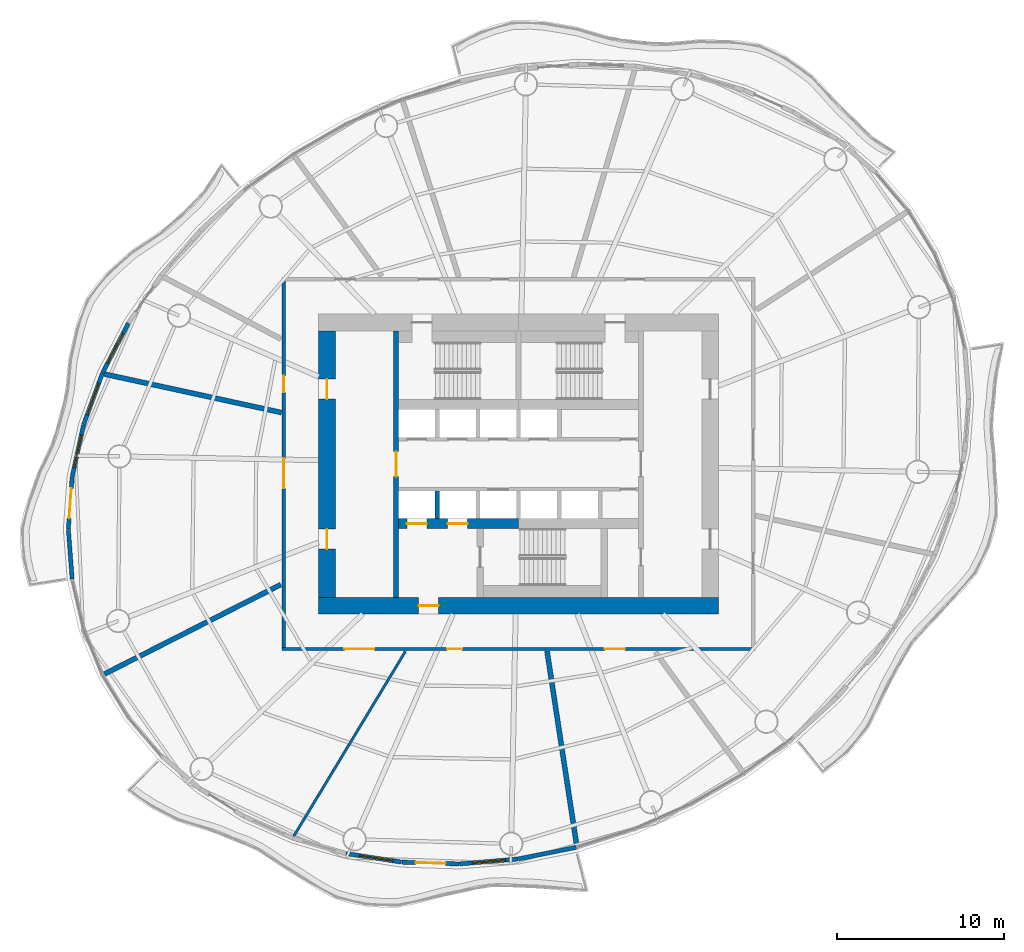
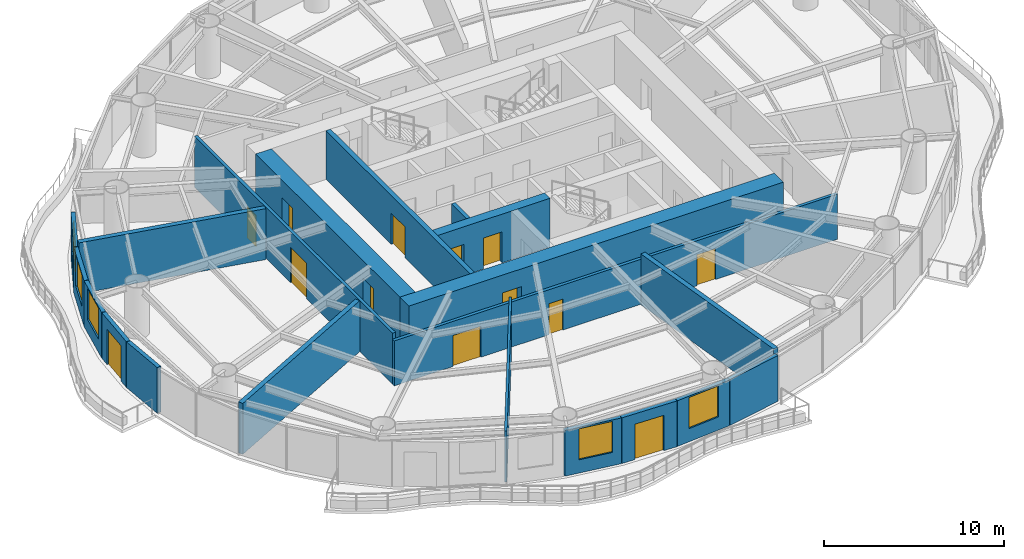
# One storey, part 8 of 14: 20 walls, 13 doors, 5 windows, 18 openings.
"""IFC4 building model written with IfcOpenShell, lengths in metres."""

from ifc_helpers import new_model, si_unit, direction, frame, frame_2d, origin, place, context, subcontext, project, spatial, rectangle, extrude, material, layer, layer_set, type_object, element, fill, save


model = new_model("IFC4")

# Units and contexts
model_context = context("Model", 3, precision=1e-05, world=origin(), true_north=direction((0.0, 1.0)))
body_context = subcontext(model_context, "Body", "Model", "MODEL_VIEW")
ifc_project = project(units=[si_unit("LENGTHUNIT", "METRE"), si_unit("AREAUNIT", "SQUARE_METRE"), si_unit("VOLUMEUNIT", "CUBIC_METRE"), si_unit("PLANEANGLEUNIT", "RADIAN"), si_unit("MASSUNIT", "GRAM", prefix="KILO")], contexts=[model_context])

# Site, building, storey
site_placement = place(None, origin())
site = spatial("IfcSite", under=ifc_project, at=site_placement, CompositionType="ELEMENT")
building_placement = place(site_placement, origin())
building = spatial("IfcBuilding", under=site, at=building_placement, Name="Vermilion Reach Broadcast Tower", CompositionType="ELEMENT")
storey_placement = place(building_placement, frame((0.0, 0.0, 143.39990234375)))
storey = spatial("IfcBuildingStorey", under=building, at=storey_placement, Name="L33", CompositionType="ELEMENT", Elevation=143.39990234375)

# Wall, opening, door
ifc_material_1 = material(Name="Concrete C70", Category="concrete")
ifc_layer_1 = layer(ifc_material_1, 0.300048828125)
ifc_layer_set_1 = layer_set([ifc_layer_1], Name="Core inner wall 300 mm Concrete C70")
wall_type_1 = type_object("IfcWallType", Name="Core inner wall 300 mm Concrete C70", PredefinedType="SHEAR", material=ifc_layer_set_1)
wall_1_placement = place(storey_placement, frame((-13.35009765625, 8.0, 0.0), z_axis=(0.0, 0.0, 1.0), x_axis=(0.0, -1.0, 0.0)))
wall_1 = element("IfcWall", 1, at=wall_1_placement, inside=storey, type_object=wall_type_1, Name="L33 core wall ewW", PredefinedType="SHEAR", context=body_context, shape_type="SweptSolid", body=[
    extrude(rectangle(XDim=16.0, YDim=0.300048828125, at=frame_2d((8.0, 0.0))), origin(), (0.0, 0.0, 1.0), 3.300048828125),
])
opening_1_placement = place(wall_1_placement, frame((7.25, 0.0, 0.0)))
opening_1 = element("IfcOpeningElement", 2, at=opening_1_placement, cuts=wall_1, Name="Opening D04", PredefinedType="OPENING", context=body_context, shape_type="SweptSolid", body=[
    extrude(rectangle(XDim=1.5, YDim=2.10009765625, at=frame_2d((0.75, 1.050048828125))), frame((0.0, 0.159912109375, 0.0), z_axis=(0.0, -1.0, 0.0), x_axis=(1.0, 0.0, 0.0)), (0.0, 0.0, 1.0), 0.320068359375),
])
ifc_material_2 = material(Name="Painted steel fire door", Category="steel")
door_type_1 = type_object("IfcDoorType", Name="Lift lobby door 1500 x 2100", OperationType="DOUBLE_DOOR_SINGLE_SWING", PredefinedType="NOTDEFINED", material=ifc_material_2)
door_1_placement = place(opening_1_placement, origin())
door_1 = element("IfcDoor", 3, at=door_1_placement, inside=storey, type_object=door_type_1, Name="L33 band door BW", OperationType="DOUBLE_DOOR_SINGLE_SWING", OverallHeight=2.10009765625, OverallWidth=1.5, PredefinedType="NOTDEFINED", context=body_context, shape_type="SweptSolid", body=[
    extrude(rectangle(XDim=1.5, YDim=2.10009765625, at=frame_2d((0.75, 1.050048828125))), frame((0.0, 0.02490234375, 0.0), z_axis=(0.0, -1.0, 0.0), x_axis=(1.0, 0.0, 0.0)), (0.0, 0.0, 1.0), 0.050048828125),
])
fill(opening_1, door_1)

# Wall, openings, doors
ifc_material_3 = material(Name="Concrete C70", Category="concrete")
ifc_layer_2 = layer(ifc_material_3, 0.60009765625)
ifc_layer_set_2 = layer_set([ifc_layer_2], Name="Core inner wall 600 mm Concrete C70")
wall_type_2 = type_object("IfcWallType", Name="Core inner wall 600 mm Concrete C70", PredefinedType="SHEAR", material=ifc_layer_set_2)
wall_2_placement = place(storey_placement, frame((-13.199951171875, -3.580078125, 0.0), z_axis=(0.0, 0.0, 1.0), x_axis=(1.0, 0.0, 0.0)))
wall_2 = element("IfcWall", 4, at=wall_2_placement, inside=storey, type_object=wall_type_2, Name="L33 core wall wisW", PredefinedType="SHEAR", context=body_context, shape_type="SweptSolid", body=[
    extrude(rectangle(XDim=7.199951171875, YDim=0.60009765625, at=frame_2d((3.60009765625, 0.0))), origin(), (0.0, 0.0, 1.0), 3.300048828125),
])
opening_2_placement = place(wall_2_placement, frame((0.495849609375, 0.0, 0.0)))
opening_2 = element("IfcOpeningElement", 5, at=opening_2_placement, cuts=wall_2, Name="Opening LD1", PredefinedType="OPENING", context=body_context, shape_type="SweptSolid", body=[
    extrude(rectangle(XDim=1.199951171875, YDim=2.10009765625, at=frame_2d((0.60009765625, 1.050048828125))), frame((0.0, 0.31005859375, 0.0), z_axis=(0.0, -1.0, 0.0), x_axis=(1.0, 0.0, 0.0)), (0.0, 0.0, 1.0), 0.6201171875),
])
opening_3_placement = place(wall_2_placement, frame((2.9375, 0.0, 0.0)))
opening_3 = element("IfcOpeningElement", 6, at=opening_3_placement, cuts=wall_2, Name="Opening LD1", PredefinedType="OPENING", context=body_context, shape_type="SweptSolid", body=[
    extrude(rectangle(XDim=1.199951171875, YDim=2.10009765625, at=frame_2d((0.60009765625, 1.050048828125))), frame((0.0, 0.31005859375, 0.0), z_axis=(0.0, -1.0, 0.0), x_axis=(1.0, 0.0, 0.0)), (0.0, 0.0, 1.0), 0.6201171875),
])
ifc_material_4 = material(Name="Stainless steel", Category="steel")
door_type_2 = type_object("IfcDoorType", Name="Landing door 1200 x 2100", OperationType="DOUBLE_DOOR_SLIDING", PredefinedType="NOTDEFINED", material=ifc_material_4)
door_2_placement = place(opening_2_placement, origin())
door_2 = element("IfcDoor", 7, at=door_2_placement, inside=storey, type_object=door_type_2, Name="L33 landing door FF1", OperationType="DOUBLE_DOOR_SLIDING", OverallHeight=2.10009765625, OverallWidth=1.199951171875, PredefinedType="NOTDEFINED", context=body_context, shape_type="SweptSolid", body=[
    extrude(rectangle(XDim=1.199951171875, YDim=2.10009765625, at=frame_2d((0.60009765625, 1.050048828125))), frame((0.0, 0.02490234375, 0.0), z_axis=(0.0, -1.0, 0.0), x_axis=(1.0, 0.0, 0.0)), (0.0, 0.0, 1.0), 0.050048828125),
])
fill(opening_2, door_2)
door_3_placement = place(opening_3_placement, origin())
door_3 = element("IfcDoor", 8, at=door_3_placement, inside=storey, type_object=door_type_2, Name="L33 landing door FF2", OperationType="DOUBLE_DOOR_SLIDING", OverallHeight=2.10009765625, OverallWidth=1.199951171875, PredefinedType="NOTDEFINED", context=body_context, shape_type="SweptSolid", body=[
    extrude(rectangle(XDim=1.199951171875, YDim=2.10009765625, at=frame_2d((0.60009765625, 1.050048828125))), frame((0.0, 0.02490234375, 0.0), z_axis=(0.0, -1.0, 0.0), x_axis=(1.0, 0.0, 0.0)), (0.0, 0.0, 1.0), 0.050048828125),
])
fill(opening_3, door_3)

# Wall, opening, door
ifc_material_5 = material(Name="Concrete C70", Category="concrete")
ifc_layer_3 = layer(ifc_material_5, 1.0)
ifc_layer_set_3 = layer_set([ifc_layer_3], Name="Core outer wall 1000 mm Concrete C70")
wall_type_3 = type_object("IfcWallType", Name="Core outer wall 1000 mm Concrete C70", PredefinedType="SHEAR", material=ifc_layer_set_3)
wall_3_placement = place(storey_placement, frame((-18.0, -8.5, 0.0), z_axis=(0.0, 0.0, 1.0), x_axis=(1.0, 0.0, 0.0)))
wall_3 = element("IfcWall", 9, at=wall_3_placement, inside=storey, type_object=wall_type_3, Name="L33 core wall os", PredefinedType="SHEAR", context=body_context, shape_type="SweptSolid", body=[
    extrude(rectangle(XDim=24.0, YDim=1.0, at=frame_2d((12.0, 0.0))), origin(), (0.0, 0.0, 1.0), 3.300048828125),
])
opening_4_placement = place(wall_3_placement, frame((6.0, 0.0, 0.0)))
opening_4 = element("IfcOpeningElement", 10, at=opening_4_placement, cuts=wall_3, Name="Opening D02", PredefinedType="OPENING", context=body_context, shape_type="SweptSolid", body=[
    extrude(rectangle(XDim=1.199951171875, YDim=2.10009765625, at=frame_2d((0.60009765625, 1.050048828125))), frame((0.0, 0.510009765625, 0.0), z_axis=(0.0, -1.0, 0.0), x_axis=(1.0, 0.0, 0.0)), (0.0, 0.0, 1.0), 1.02001953125),
])
ifc_material_6 = material(Name="Painted steel fire door", Category="steel")
door_type_3 = type_object("IfcDoorType", Name="Firefighting lobby door 1200 x 2100", OperationType="DOUBLE_DOOR_SINGLE_SWING", PredefinedType="NOTDEFINED", material=ifc_material_6)
door_4_placement = place(opening_4_placement, origin())
door_4 = element("IfcDoor", 11, at=door_4_placement, inside=storey, type_object=door_type_3, Name="L33 ffdoor door FFL", OperationType="DOUBLE_DOOR_SINGLE_SWING", OverallHeight=2.10009765625, OverallWidth=1.199951171875, PredefinedType="NOTDEFINED", context=body_context, shape_type="SweptSolid", body=[
    extrude(rectangle(XDim=1.199951171875, YDim=2.10009765625, at=frame_2d((0.60009765625, 1.050048828125))), frame((0.0, 0.02490234375, 0.0), z_axis=(0.0, -1.0, 0.0), x_axis=(1.0, 0.0, 0.0)), (0.0, 0.0, 1.0), 0.050048828125),
])
fill(opening_4, door_4)

# Wall, openings, doors
wall_4_placement = place(storey_placement, frame((-17.5, 8.0, 0.0), z_axis=(0.0, 0.0, 1.0), x_axis=(0.0, -1.0, 0.0)))
wall_4 = element("IfcWall", 12, at=wall_4_placement, inside=storey, type_object=wall_type_3, Name="L33 core wall ow", PredefinedType="SHEAR", context=body_context, shape_type="SweptSolid", body=[
    extrude(rectangle(XDim=16.0, YDim=1.0, at=frame_2d((8.0, 0.0))), origin(), (0.0, 0.0, 1.0), 3.300048828125),
])
opening_5_placement = place(wall_4_placement, frame((11.89990234375, 0.0, 0.0)))
opening_5 = element("IfcOpeningElement", 13, at=opening_5_placement, cuts=wall_4, Name="Opening D03", PredefinedType="OPENING", context=body_context, shape_type="SweptSolid", body=[
    extrude(rectangle(XDim=1.199951171875, YDim=2.10009765625, at=frame_2d((0.60009765625, 1.050048828125))), frame((0.0, 0.510009765625, 0.0), z_axis=(0.0, -1.0, 0.0), x_axis=(1.0, 0.0, 0.0)), (0.0, 0.0, 1.0), 1.02001953125),
])
opening_6_placement = place(wall_4_placement, frame((2.89990234375, 0.0, 0.0)))
opening_6 = element("IfcOpeningElement", 14, at=opening_6_placement, cuts=wall_4, Name="Opening D03", PredefinedType="OPENING", context=body_context, shape_type="SweptSolid", body=[
    extrude(rectangle(XDim=1.199951171875, YDim=2.10009765625, at=frame_2d((0.60009765625, 1.050048828125))), frame((0.0, 0.510009765625, 0.0), z_axis=(0.0, -1.0, 0.0), x_axis=(1.0, 0.0, 0.0)), (0.0, 0.0, 1.0), 1.02001953125),
])
ifc_material_7 = material(Name="Painted steel fire door", Category="steel")
door_type_4 = type_object("IfcDoorType", Name="Core lobby door 1200 x 2100", OperationType="DOUBLE_DOOR_SINGLE_SWING", PredefinedType="NOTDEFINED", material=ifc_material_7)
door_5_placement = place(opening_5_placement, origin())
door_5 = element("IfcDoor", 15, at=door_5_placement, inside=storey, type_object=door_type_4, Name="L33 slot door W0", OperationType="DOUBLE_DOOR_SINGLE_SWING", OverallHeight=2.10009765625, OverallWidth=1.199951171875, PredefinedType="NOTDEFINED", context=body_context, shape_type="SweptSolid", body=[
    extrude(rectangle(XDim=1.199951171875, YDim=2.10009765625, at=frame_2d((0.60009765625, 1.050048828125))), frame((0.0, 0.02490234375, 0.0), z_axis=(0.0, -1.0, 0.0), x_axis=(1.0, 0.0, 0.0)), (0.0, 0.0, 1.0), 0.050048828125),
])
fill(opening_5, door_5)
door_6_placement = place(opening_6_placement, origin())
door_6 = element("IfcDoor", 16, at=door_6_placement, inside=storey, type_object=door_type_4, Name="L33 slot door W1", OperationType="DOUBLE_DOOR_SINGLE_SWING", OverallHeight=2.10009765625, OverallWidth=1.199951171875, PredefinedType="NOTDEFINED", context=body_context, shape_type="SweptSolid", body=[
    extrude(rectangle(XDim=1.199951171875, YDim=2.10009765625, at=frame_2d((0.60009765625, 1.050048828125))), frame((0.0, 0.02490234375, 0.0), z_axis=(0.0, -1.0, 0.0), x_axis=(1.0, 0.0, 0.0)), (0.0, 0.0, 1.0), 0.050048828125),
])
fill(opening_6, door_6)

# Wall
ifc_material_8 = material(Name="Concrete C50", Category="concrete")
ifc_layer_4 = layer(ifc_material_8, 0.25)
ifc_layer_set_4 = layer_set([ifc_layer_4], Name="Core shaft wall 250 mm Concrete C50")
wall_type_4 = type_object("IfcWallType", Name="Core shaft wall 250 mm Concrete C50", PredefinedType="SHEAR", material=ifc_layer_set_4)
wall_5_placement = place(storey_placement, frame((-10.88330078125, -1.60009765625, 0.0), z_axis=(0.0, 0.0, 1.0), x_axis=(0.0, -1.0, 0.0)))
element("IfcWall", 17, at=wall_5_placement, inside=storey, type_object=wall_type_4, Name="L33 core wall psS0", PredefinedType="SHEAR", context=body_context, shape_type="SweptSolid", body=[
    extrude(rectangle(XDim=1.679931640625, YDim=0.25, at=frame_2d((0.83984375, 0.0))), origin(), (0.0, 0.0, 1.0), 3.300048828125),
])

# Wall, openings, doors
ifc_material_9 = material(Name="Fire-rated gypsum board partition")
ifc_layer_5 = layer(ifc_material_9, 0.199951171875)
ifc_layer_set_5 = layer_set([ifc_layer_5], Name="Corridor wall 200 fire-rated")
wall_type_5 = type_object("IfcWallType", Name="Corridor wall 200 fire-rated", PredefinedType="PARTITIONING", material=ifc_layer_set_5)
wall_6_placement = place(storey_placement, frame((-20.10009765625, -11.0, 0.0), z_axis=(0.0, 0.0, 1.0), x_axis=(0.0, 1.0, 0.0)))
wall_6 = element("IfcWall", 18, at=wall_6_placement, inside=storey, type_object=wall_type_5, Name="Corridor wall 33.W", PredefinedType="PARTITIONING", context=body_context, shape_type="SweptSolid", body=[
    extrude(rectangle(XDim=22.0, YDim=0.199951171875, at=frame_2d((11.0, 0.0))), origin(), (0.0, 0.0, 1.0), 3.4501953125),
])
opening_7_placement = place(wall_6_placement, frame((15.304931640625, 0.0, 0.0)))
opening_7 = element("IfcOpeningElement", 19, at=opening_7_placement, cuts=wall_6, Name="Opening D20", PredefinedType="OPENING", context=body_context, shape_type="SweptSolid", body=[
    extrude(rectangle(XDim=1.0, YDim=2.10009765625, at=frame_2d((0.5, 1.050048828125))), frame((0.0, 0.10986328125, 0.0), z_axis=(0.0, -1.0, 0.0), x_axis=(1.0, 0.0, 0.0)), (0.0, 0.0, 1.0), 0.219970703125),
])
opening_8_placement = place(wall_6_placement, frame((9.54150390625, 0.0, 0.0)))
opening_8 = element("IfcOpeningElement", 20, at=opening_8_placement, cuts=wall_6, Name="Opening D27", PredefinedType="OPENING", context=body_context, shape_type="SweptSolid", body=[
    extrude(rectangle(XDim=1.800048828125, YDim=2.39990234375, at=frame_2d((0.89990234375, 1.199951171875))), frame((0.0, 0.10986328125, 0.0), z_axis=(0.0, -1.0, 0.0), x_axis=(1.0, 0.0, 0.0)), (0.0, 0.0, 1.0), 0.219970703125),
])
ifc_material_10 = material(Name="Acoustic timber door leaf", Category="wood")
door_type_5 = type_object("IfcDoorType", Name="Door pair 1800x2400", OperationType="NOTDEFINED", PredefinedType="DOOR", material=ifc_material_10)
door_7_placement = place(opening_8_placement, origin())
door_7 = element("IfcDoor", 21, at=door_7_placement, inside=storey, type_object=door_type_5, Name="Door 33.06", OperationType="DOUBLE_DOOR_SINGLE_SWING", OverallHeight=2.39990234375, OverallWidth=1.800048828125, PredefinedType="DOOR", context=body_context, shape_type="SweptSolid", body=[
    extrude(rectangle(XDim=1.800048828125, YDim=2.39990234375, at=frame_2d((0.89990234375, 1.199951171875))), frame((0.0, 0.02490234375, 0.0), z_axis=(0.0, -1.0, 0.0), x_axis=(1.0, 0.0, 0.0)), (0.0, 0.0, 1.0), 0.050048828125),
])
fill(opening_8, door_7)
ifc_material_11 = material(Name="Timber door leaf", Category="wood")
door_type_6 = type_object("IfcDoorType", Name="Door single 1000x2100", OperationType="NOTDEFINED", PredefinedType="DOOR", material=ifc_material_11)
door_8_placement = place(opening_7_placement, origin())
door_8 = element("IfcDoor", 22, at=door_8_placement, inside=storey, type_object=door_type_6, Name="Door 33.05", OperationType="SINGLE_SWING_LEFT", OverallHeight=2.10009765625, OverallWidth=1.0, PredefinedType="DOOR", context=body_context, shape_type="SweptSolid", body=[
    extrude(rectangle(XDim=1.0, YDim=2.10009765625, at=frame_2d((0.5, 1.050048828125))), frame((0.0, 0.02490234375, 0.0), z_axis=(0.0, -1.0, 0.0), x_axis=(1.0, 0.0, 0.0)), (0.0, 0.0, 1.0), 0.050048828125),
])
fill(opening_7, door_8)

# Walls
ifc_material_12 = material(Name="Lightweight concrete block, plastered", Category="concrete")
ifc_layer_6 = layer(ifc_material_12, 0.14990234375)
ifc_layer_set_6 = layer_set([ifc_layer_6], Name="Partition 150 lightweight block")
wall_type_6 = type_object("IfcWallType", Name="Partition 150 lightweight block", PredefinedType="PARTITIONING", material=ifc_layer_set_6)
wall_7_placement = place(storey_placement, frame((-19.495849609375, -22.34033203125, 0.0), z_axis=(0.0, 0.0, 1.0), x_axis=(0.51707886648, 0.855937758157, 0.0)))
element("IfcWall", 23, at=wall_7_placement, inside=storey, type_object=wall_type_6, Name="Partition 33.08", PredefinedType="PARTITIONING", context=body_context, shape_type="SweptSolid", body=[
    extrude(rectangle(XDim=12.969970703125, YDim=0.14990234375, at=frame_2d((6.48486328125, 0.0))), origin(), (0.0, 0.0, 1.0), 3.4501953125),
])
ifc_material_13 = material(Name="Double-leaf plasterboard on isolated steel stud", Category="steel")
ifc_layer_7 = layer(ifc_material_13, 0.300048828125)
ifc_layer_set_7 = layer_set([ifc_layer_7], Name="Partition 300 acoustic double leaf")
wall_type_7 = type_object("IfcWallType", Name="Partition 300 acoustic double leaf", PredefinedType="PARTITIONING", material=ifc_layer_set_7)
wall_8_placement = place(storey_placement, frame((-30.870361328125, 5.406494140625, 0.0), z_axis=(0.0, 0.0, 1.0), x_axis=(0.977175554344, -0.21243336836, 0.0)))
element("IfcWall", 24, at=wall_8_placement, inside=storey, type_object=wall_type_7, Name="Partition 33.06", PredefinedType="PARTITIONING", context=body_context, shape_type="SweptSolid", body=[
    extrude(rectangle(XDim=10.886962890625, YDim=0.300048828125, at=frame_2d((5.443359375, 0.0))), origin(), (0.0, 0.0, 1.0), 3.4501953125),
])
wall_9_placement = place(storey_placement, frame((-30.859619140625, -12.60107421875, 0.0), z_axis=(0.0, 0.0, 1.0), x_axis=(0.891954750919, 0.452124675629, 0.0)))
element("IfcWall", 25, at=wall_9_placement, inside=storey, type_object=wall_type_7, Name="Partition 33.07", PredefinedType="PARTITIONING", context=body_context, shape_type="SweptSolid", body=[
    extrude(rectangle(XDim=11.874755859375, YDim=0.300048828125, at=frame_2d((5.9375, 0.0))), origin(), (0.0, 0.0, 1.0), 3.4501953125),
])
wall_10_placement = place(storey_placement, frame((-2.512451171875, -22.876708984375, 0.0), z_axis=(0.0, 0.0, 1.0), x_axis=(-0.15070468476, 0.988578827404, 0.0)))
element("IfcWall", 26, at=wall_10_placement, inside=storey, type_object=wall_type_7, Name="Partition 33.09", PredefinedType="PARTITIONING", context=body_context, shape_type="SweptSolid", body=[
    extrude(rectangle(XDim=11.78857421875, YDim=0.300048828125, at=frame_2d((5.894287109375, 0.0))), origin(), (0.0, 0.0, 1.0), 3.4501953125),
])

# Wall, opening, window
ifc_material_14 = material(Name="Terracotta rainscreen cladding", Category="masonry")
ifc_layer_8 = layer(ifc_material_14, 0.25)
ifc_layer_set_8 = layer_set([ifc_layer_8], Name="Terracotta rainscreen wall 250")
wall_type_8 = type_object("IfcWallType", Name="Terracotta rainscreen wall 250", PredefinedType="SOLIDWALL", material=ifc_layer_set_8)
wall_11_placement = place(storey_placement, frame((-29.429443359375, 8.455078125, 0.0), z_axis=(0.0, 0.0, 1.0), x_axis=(-0.460482311848, -0.887668879975, 0.0)))
wall_11 = element("IfcWall", 27, at=wall_11_placement, inside=storey, type_object=wall_type_8, Name="External wall L33 17", PredefinedType="SOLIDWALL", context=body_context, shape_type="SweptSolid", body=[
    extrude(rectangle(XDim=3.36572265625, YDim=0.25, at=frame_2d((1.682861328125, 0.0))), origin(), (0.0, 0.0, 1.0), 3.10009765625),
])
opening_9_placement = place(wall_11_placement, frame((0.682861328125, 0.0, 0.89990234375)))
opening_9 = element("IfcOpeningElement", 28, at=opening_9_placement, cuts=wall_11, Name="Opening W03", PredefinedType="OPENING", context=body_context, shape_type="SweptSolid", body=[
    extrude(rectangle(XDim=2.0, YDim=2.10009765625, at=frame_2d((1.0, 1.050048828125))), frame((0.0, 0.135009765625, 0.0), z_axis=(0.0, -1.0, 0.0), x_axis=(1.0, 0.0, 0.0)), (0.0, 0.0, 1.0), 0.27001953125),
])
ifc_material_15 = material(Name="Low-e laminated clear glass in aluminium frame", Category="aluminium")
window_type = type_object("IfcWindowType", Name="Punched window 2000 x 2100 sill 900", PartitioningType="SINGLE_PANEL", PredefinedType="WINDOW", material=ifc_material_15)
window_1_placement = place(opening_9_placement, origin())
window_1 = element("IfcWindow", 29, at=window_1_placement, inside=storey, type_object=window_type, Name="Window L33 17", OverallHeight=2.10009765625, OverallWidth=2.0, PartitioningType="SINGLE_PANEL", PredefinedType="WINDOW", context=body_context, shape_type="SweptSolid", body=[
    extrude(rectangle(XDim=2.0, YDim=2.10009765625, at=frame_2d((1.0, 1.050048828125))), frame((0.0, 0.030029296875, 0.0), z_axis=(0.0, -1.0, 0.0), x_axis=(1.0, 0.0, 0.0)), (0.0, 0.0, 1.0), 0.06005859375),
])
fill(opening_9, window_1)

wall_12_placement = place(storey_placement, frame((-30.98876953125, 5.445556640625, 0.0), z_axis=(0.0, 0.0, 1.0), x_axis=(-0.343106975728, -0.939296334075, 0.0)))
wall_12 = element("IfcWall", 30, at=wall_12_placement, inside=storey, type_object=wall_type_8, Name="External wall L33 18", PredefinedType="SOLIDWALL", context=body_context, shape_type="SweptSolid", body=[
    extrude(rectangle(XDim=3.276123046875, YDim=0.25, at=frame_2d((1.63818359375, 0.0))), origin(), (0.0, 0.0, 1.0), 3.10009765625),
])
opening_10_placement = place(wall_12_placement, frame((0.637939453125, 0.0, 0.89990234375)))
opening_10 = element("IfcOpeningElement", 31, at=opening_10_placement, cuts=wall_12, Name="Opening W03", PredefinedType="OPENING", context=body_context, shape_type="SweptSolid", body=[
    extrude(rectangle(XDim=2.0, YDim=2.10009765625, at=frame_2d((1.0, 1.050048828125))), frame((0.0, 0.135009765625, 0.0), z_axis=(0.0, -1.0, 0.0), x_axis=(1.0, 0.0, 0.0)), (0.0, 0.0, 1.0), 0.27001953125),
])
window_2_placement = place(opening_10_placement, origin())
window_2 = element("IfcWindow", 32, at=window_2_placement, inside=storey, type_object=window_type, Name="Window L33 18", OverallHeight=2.10009765625, OverallWidth=2.0, PartitioningType="SINGLE_PANEL", PredefinedType="WINDOW", context=body_context, shape_type="SweptSolid", body=[
    extrude(rectangle(XDim=2.0, YDim=2.10009765625, at=frame_2d((1.0, 1.050048828125))), frame((0.0, 0.030029296875, 0.0), z_axis=(0.0, -1.0, 0.0), x_axis=(1.0, 0.0, 0.0)), (0.0, 0.0, 1.0), 0.06005859375),
])
fill(opening_10, window_2)

wall_13_placement = place(storey_placement, frame((-32.11962890625, 2.344482421875, 0.0), z_axis=(0.0, 0.0, 1.0), x_axis=(-0.213278759663, -0.976991387207, 0.0)))
wall_13 = element("IfcWall", 33, at=wall_13_placement, inside=storey, type_object=wall_type_8, Name="External wall L33 19", PredefinedType="SOLIDWALL", context=body_context, shape_type="SweptSolid", body=[
    extrude(rectangle(XDim=3.186767578125, YDim=0.25, at=frame_2d((1.59326171875, 0.0))), origin(), (0.0, 0.0, 1.0), 3.10009765625),
])
opening_11_placement = place(wall_13_placement, frame((0.593505859375, 0.0, 0.89990234375)))
opening_11 = element("IfcOpeningElement", 34, at=opening_11_placement, cuts=wall_13, Name="Opening W03", PredefinedType="OPENING", context=body_context, shape_type="SweptSolid", body=[
    extrude(rectangle(XDim=2.0, YDim=2.10009765625, at=frame_2d((1.0, 1.050048828125))), frame((0.0, 0.135009765625, 0.0), z_axis=(0.0, -1.0, 0.0), x_axis=(1.0, 0.0, 0.0)), (0.0, 0.0, 1.0), 0.27001953125),
])
window_3_placement = place(opening_11_placement, origin())
window_3 = element("IfcWindow", 35, at=window_3_placement, inside=storey, type_object=window_type, Name="Window L33 19", OverallHeight=2.10009765625, OverallWidth=2.0, PartitioningType="SINGLE_PANEL", PredefinedType="WINDOW", context=body_context, shape_type="SweptSolid", body=[
    extrude(rectangle(XDim=2.0, YDim=2.10009765625, at=frame_2d((1.0, 1.050048828125))), frame((0.0, 0.030029296875, 0.0), z_axis=(0.0, -1.0, 0.0), x_axis=(1.0, 0.0, 0.0)), (0.0, 0.0, 1.0), 0.06005859375),
])
fill(opening_11, window_3)

# Wall, opening, door
wall_14_placement = place(storey_placement, frame((-32.802978515625, -0.79443359375, 0.0), z_axis=(0.0, 0.0, 1.0), x_axis=(-0.072576937858, -0.997362816678, 0.0)))
wall_14 = element("IfcWall", 36, at=wall_14_placement, inside=storey, type_object=wall_type_8, Name="External wall L33 20", PredefinedType="SOLIDWALL", context=body_context, shape_type="SweptSolid", body=[
    extrude(rectangle(XDim=3.10498046875, YDim=0.25, at=frame_2d((1.552490234375, 0.0))), origin(), (0.0, 0.0, 1.0), 3.10009765625),
])
opening_12_placement = place(wall_14_placement, frame((0.652099609375, 0.0, 0.0)))
opening_12 = element("IfcOpeningElement", 37, at=opening_12_placement, cuts=wall_14, Name="Opening D70", PredefinedType="OPENING", context=body_context, shape_type="SweptSolid", body=[
    extrude(rectangle(XDim=1.800048828125, YDim=2.39990234375, at=frame_2d((0.89990234375, 1.199951171875))), frame((0.0, 0.135009765625, 0.0), z_axis=(0.0, -1.0, 0.0), x_axis=(1.0, 0.0, 0.0)), (0.0, 0.0, 1.0), 0.27001953125),
])
ifc_material_16 = material(Name="Low-e laminated clear glass in aluminium frame", Category="aluminium")
door_type_7 = type_object("IfcDoorType", Name="Balcony sliding door 1800 x 2400", OperationType="DOUBLE_DOOR_SLIDING", PredefinedType="DOOR", material=ifc_material_16)
door_9_placement = place(opening_12_placement, origin())
door_9 = element("IfcDoor", 38, at=door_9_placement, inside=storey, type_object=door_type_7, Name="Balcony door L33 run 05", OperationType="DOUBLE_DOOR_SLIDING", OverallHeight=2.39990234375, OverallWidth=1.800048828125, PredefinedType="DOOR", context=body_context, shape_type="SweptSolid", body=[
    extrude(rectangle(XDim=1.800048828125, YDim=2.39990234375, at=frame_2d((0.89990234375, 1.199951171875))), frame((0.0, 0.02490234375, 0.0), z_axis=(0.0, -1.0, 0.0), x_axis=(1.0, 0.0, 0.0)), (0.0, 0.0, 1.0), 0.050048828125),
])
fill(opening_12, door_9)

# Wall
wall_15_placement = place(storey_placement, frame((-33.0283203125, -3.917724609375, 0.0), z_axis=(0.0, 0.0, 1.0), x_axis=(0.076384798739, -0.997078413427, 0.0)))
element("IfcWall", 39, at=wall_15_placement, inside=storey, type_object=wall_type_8, Name="External wall L33 21", PredefinedType="SOLIDWALL", context=body_context, shape_type="SweptSolid", body=[
    extrude(rectangle(XDim=2.994873046875, YDim=0.25, at=frame_2d((1.49755859375, 0.0))), origin(), (0.0, 0.0, 1.0), 3.10009765625),
])

# Wall, opening, window
wall_16_placement = place(storey_placement, frame((-16.35693359375, -23.379150390625, 0.0), z_axis=(0.0, 0.0, 1.0), x_axis=(0.988171249995, -0.153354428314, 0.0)))
wall_16 = element("IfcWall", 40, at=wall_16_placement, inside=storey, type_object=wall_type_8, Name="External wall L33 30", PredefinedType="SOLIDWALL", context=body_context, shape_type="SweptSolid", body=[
    extrude(rectangle(XDim=3.365478515625, YDim=0.25, at=frame_2d((1.6826171875, 0.0))), origin(), (0.0, 0.0, 1.0), 3.10009765625),
])
opening_13_placement = place(wall_16_placement, frame((0.8330078125, 0.0, 0.89990234375)))
opening_13 = element("IfcOpeningElement", 41, at=opening_13_placement, cuts=wall_16, Name="Opening W03", PredefinedType="OPENING", context=body_context, shape_type="SweptSolid", body=[
    extrude(rectangle(XDim=2.0, YDim=2.10009765625, at=frame_2d((1.0, 1.050048828125))), frame((0.0, 0.135009765625, 0.0), z_axis=(0.0, -1.0, 0.0), x_axis=(1.0, 0.0, 0.0)), (0.0, 0.0, 1.0), 0.27001953125),
])
window_4_placement = place(opening_13_placement, origin())
window_4 = element("IfcWindow", 42, at=window_4_placement, inside=storey, type_object=window_type, Name="Window L33 30", OverallHeight=2.10009765625, OverallWidth=2.0, PartitioningType="SINGLE_PANEL", PredefinedType="WINDOW", context=body_context, shape_type="SweptSolid", body=[
    extrude(rectangle(XDim=2.0, YDim=2.10009765625, at=frame_2d((1.0, 1.050048828125))), frame((0.0, 0.030029296875, 0.0), z_axis=(0.0, -1.0, 0.0), x_axis=(1.0, 0.0, 0.0)), (0.0, 0.0, 1.0), 0.06005859375),
])
fill(opening_13, window_4)

# Wall, opening, door
wall_17_placement = place(storey_placement, frame((-13.008056640625, -23.8974609375, 0.0), z_axis=(0.0, 0.0, 1.0), x_axis=(0.999495013577, -0.031776057572, 0.0)))
wall_17 = element("IfcWall", 43, at=wall_17_placement, inside=storey, type_object=wall_type_8, Name="External wall L33 31", PredefinedType="SOLIDWALL", context=body_context, shape_type="SweptSolid", body=[
    extrude(rectangle(XDim=3.44970703125, YDim=0.25, at=frame_2d((1.724853515625, 0.0))), origin(), (0.0, 0.0, 1.0), 3.10009765625),
])
opening_14_placement = place(wall_17_placement, frame((0.824951171875, 0.0, 0.0)))
opening_14 = element("IfcOpeningElement", 44, at=opening_14_placement, cuts=wall_17, Name="Opening D70", PredefinedType="OPENING", context=body_context, shape_type="SweptSolid", body=[
    extrude(rectangle(XDim=1.800048828125, YDim=2.39990234375, at=frame_2d((0.89990234375, 1.199951171875))), frame((0.0, 0.135009765625, 0.0), z_axis=(0.0, -1.0, 0.0), x_axis=(1.0, 0.0, 0.0)), (0.0, 0.0, 1.0), 0.27001953125),
])
door_10_placement = place(opening_14_placement, origin())
door_10 = element("IfcDoor", 45, at=door_10_placement, inside=storey, type_object=door_type_7, Name="Balcony door L33 run 08", OperationType="DOUBLE_DOOR_SLIDING", OverallHeight=2.39990234375, OverallWidth=1.800048828125, PredefinedType="DOOR", context=body_context, shape_type="SweptSolid", body=[
    extrude(rectangle(XDim=1.800048828125, YDim=2.39990234375, at=frame_2d((0.89990234375, 1.199951171875))), frame((0.0, 0.02490234375, 0.0), z_axis=(0.0, -1.0, 0.0), x_axis=(1.0, 0.0, 0.0)), (0.0, 0.0, 1.0), 0.050048828125),
])
fill(opening_14, door_10)

# Wall, opening, window
wall_18_placement = place(storey_placement, frame((-9.537353515625, -24.006591796875, 0.0), z_axis=(0.0, 0.0, 1.0), x_axis=(0.996379423163, 0.085017910447, 0.0)))
wall_18 = element("IfcWall", 46, at=wall_18_placement, inside=storey, type_object=wall_type_8, Name="External wall L33 32", PredefinedType="SOLIDWALL", context=body_context, shape_type="SweptSolid", body=[
    extrude(rectangle(XDim=3.5234375, YDim=0.25, at=frame_2d((1.76171875, 0.0))), origin(), (0.0, 0.0, 1.0), 3.10009765625),
])
opening_15_placement = place(wall_18_placement, frame((0.76171875, 0.0, 0.89990234375)))
opening_15 = element("IfcOpeningElement", 47, at=opening_15_placement, cuts=wall_18, Name="Opening W03", PredefinedType="OPENING", context=body_context, shape_type="SweptSolid", body=[
    extrude(rectangle(XDim=2.0, YDim=2.10009765625, at=frame_2d((1.0, 1.050048828125))), frame((0.0, 0.135009765625, 0.0), z_axis=(0.0, -1.0, 0.0), x_axis=(1.0, 0.0, 0.0)), (0.0, 0.0, 1.0), 0.27001953125),
])
window_5_placement = place(opening_15_placement, origin())
window_5 = element("IfcWindow", 48, at=window_5_placement, inside=storey, type_object=window_type, Name="Window L33 32", OverallHeight=2.10009765625, OverallWidth=2.0, PartitioningType="SINGLE_PANEL", PredefinedType="WINDOW", context=body_context, shape_type="SweptSolid", body=[
    extrude(rectangle(XDim=2.0, YDim=2.10009765625, at=frame_2d((1.0, 1.050048828125))), frame((0.0, 0.030029296875, 0.0), z_axis=(0.0, -1.0, 0.0), x_axis=(1.0, 0.0, 0.0)), (0.0, 0.0, 1.0), 0.06005859375),
])
fill(opening_15, window_5)

# Wall
wall_19_placement = place(storey_placement, frame((-6.004638671875, -23.703857421875, 0.0), z_axis=(0.0, 0.0, 1.0), x_axis=(0.980503643001, 0.196500906007, 0.0)))
element("IfcWall", 49, at=wall_19_placement, inside=storey, type_object=wall_type_8, Name="External wall L33 33", PredefinedType="SOLIDWALL", context=body_context, shape_type="SweptSolid", body=[
    extrude(rectangle(XDim=3.53857421875, YDim=0.25, at=frame_2d((1.769287109375, 0.0))), origin(), (0.0, 0.0, 1.0), 3.10009765625),
])

# Wall, openings, doors
ifc_material_17 = material(Name="Fire-rated gypsum board partition")
ifc_layer_9 = layer(ifc_material_17, 0.199951171875)
ifc_layer_set_9 = layer_set([ifc_layer_9], Name="Under girder: Corridor wall 200 fire-rated")
wall_type_9 = type_object("IfcWallType", Name="Under girder: Corridor wall 200 fire-rated", PredefinedType="PARTITIONING", material=ifc_layer_set_9)
wall_20_placement = place(storey_placement, frame((8.199951171875, -11.10009765625, 0.0), z_axis=(0.0, 0.0, 1.0), x_axis=(-1.0, 0.0, 0.0)))
wall_20 = element("IfcWall", 50, at=wall_20_placement, inside=storey, type_object=wall_type_9, Name="Corridor wall 33.S", PredefinedType="PARTITIONING", context=body_context, shape_type="SweptSolid", body=[
    extrude(rectangle(XDim=28.39990234375, YDim=0.199951171875, at=frame_2d((14.199951171875, 0.0))), origin(), (0.0, 0.0, 1.0), 3.050048828125),
])
opening_16_placement = place(wall_20_placement, frame((22.856201171875, 0.0, 0.0)))
opening_16 = element("IfcOpeningElement", 51, at=opening_16_placement, cuts=wall_20, Name="Opening D21", PredefinedType="OPENING", context=body_context, shape_type="SweptSolid", body=[
    extrude(rectangle(XDim=1.800048828125, YDim=2.10009765625, at=frame_2d((0.89990234375, 1.050048828125))), frame((0.0, 0.10986328125, 0.0), z_axis=(0.0, -1.0, 0.0), x_axis=(1.0, 0.0, 0.0)), (0.0, 0.0, 1.0), 0.219970703125),
])
opening_17_placement = place(wall_20_placement, frame((17.593994140625, 0.0, 0.0)))
opening_17 = element("IfcOpeningElement", 52, at=opening_17_placement, cuts=wall_20, Name="Opening D22", PredefinedType="OPENING", context=body_context, shape_type="SweptSolid", body=[
    extrude(rectangle(XDim=0.89990234375, YDim=2.10009765625, at=frame_2d((0.449951171875, 1.050048828125))), frame((0.0, 0.10986328125, 0.0), z_axis=(0.0, -1.0, 0.0), x_axis=(1.0, 0.0, 0.0)), (0.0, 0.0, 1.0), 0.219970703125),
])
opening_18_placement = place(wall_20_placement, frame((7.818603515625, 0.0, 0.0)))
opening_18 = element("IfcOpeningElement", 53, at=opening_18_placement, cuts=wall_20, Name="Opening D26", PredefinedType="OPENING", context=body_context, shape_type="SweptSolid", body=[
    extrude(rectangle(XDim=1.199951171875, YDim=2.10009765625, at=frame_2d((0.60009765625, 1.050048828125))), frame((0.0, 0.10986328125, 0.0), z_axis=(0.0, -1.0, 0.0), x_axis=(1.0, 0.0, 0.0)), (0.0, 0.0, 1.0), 0.219970703125),
])
ifc_material_18 = material(Name="Timber door leaf", Category="wood")
door_type_8 = type_object("IfcDoorType", Name="Door pair 1800x2100", OperationType="NOTDEFINED", PredefinedType="DOOR", material=ifc_material_18)
door_11_placement = place(opening_16_placement, origin())
door_11 = element("IfcDoor", 54, at=door_11_placement, inside=storey, type_object=door_type_8, Name="Door 33.07", OperationType="DOUBLE_DOOR_SINGLE_SWING", OverallHeight=2.10009765625, OverallWidth=1.800048828125, PredefinedType="DOOR", context=body_context, shape_type="SweptSolid", body=[
    extrude(rectangle(XDim=1.800048828125, YDim=2.10009765625, at=frame_2d((0.89990234375, 1.050048828125))), frame((0.0, 0.02490234375, 0.0), z_axis=(0.0, -1.0, 0.0), x_axis=(1.0, 0.0, 0.0)), (0.0, 0.0, 1.0), 0.050048828125),
])
fill(opening_16, door_11)
ifc_material_19 = material(Name="Acoustic timber door leaf", Category="wood")
door_type_9 = type_object("IfcDoorType", Name="Door single 1200x2100", OperationType="NOTDEFINED", PredefinedType="DOOR", material=ifc_material_19)
door_12_placement = place(opening_18_placement, origin())
door_12 = element("IfcDoor", 55, at=door_12_placement, inside=storey, type_object=door_type_9, Name="Door 33.09", OperationType="SINGLE_SWING_LEFT", OverallHeight=2.10009765625, OverallWidth=1.199951171875, PredefinedType="DOOR", context=body_context, shape_type="SweptSolid", body=[
    extrude(rectangle(XDim=1.199951171875, YDim=2.10009765625, at=frame_2d((0.60009765625, 1.050048828125))), frame((0.0, 0.02490234375, 0.0), z_axis=(0.0, -1.0, 0.0), x_axis=(1.0, 0.0, 0.0)), (0.0, 0.0, 1.0), 0.050048828125),
])
fill(opening_18, door_12)
ifc_material_20 = material(Name="Timber door leaf", Category="wood")
door_type_10 = type_object("IfcDoorType", Name="Door single 900x2100", OperationType="NOTDEFINED", PredefinedType="DOOR", material=ifc_material_20)
door_13_placement = place(opening_17_placement, origin())
door_13 = element("IfcDoor", 56, at=door_13_placement, inside=storey, type_object=door_type_10, Name="Door 33.08", OperationType="SINGLE_SWING_RIGHT", OverallHeight=2.10009765625, OverallWidth=0.89990234375, PredefinedType="DOOR", context=body_context, shape_type="SweptSolid", body=[
    extrude(rectangle(XDim=0.89990234375, YDim=2.10009765625, at=frame_2d((0.449951171875, 1.050048828125))), frame((0.0, 0.02490234375, 0.0), z_axis=(0.0, -1.0, 0.0), x_axis=(1.0, 0.0, 0.0)), (0.0, 0.0, 1.0), 0.050048828125),
])
fill(opening_17, door_13)

save(model, "model.ifc")
